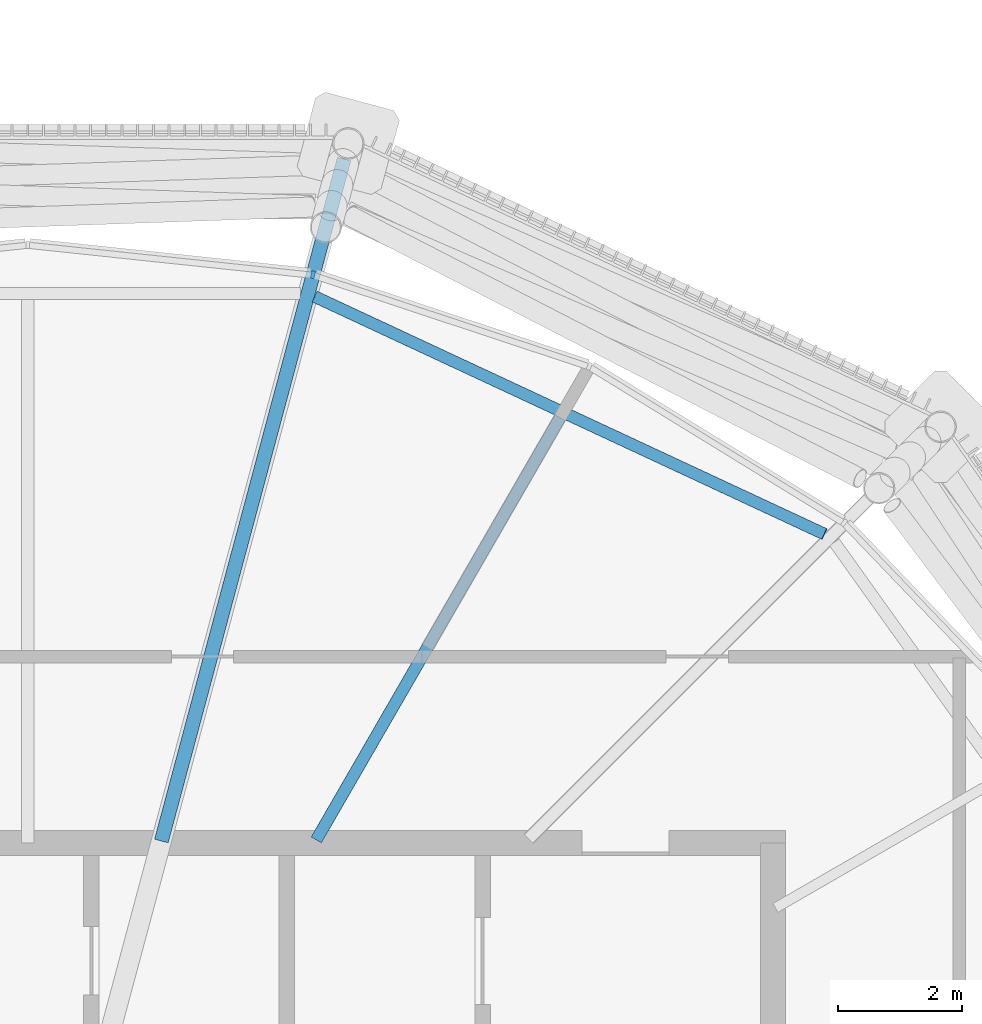
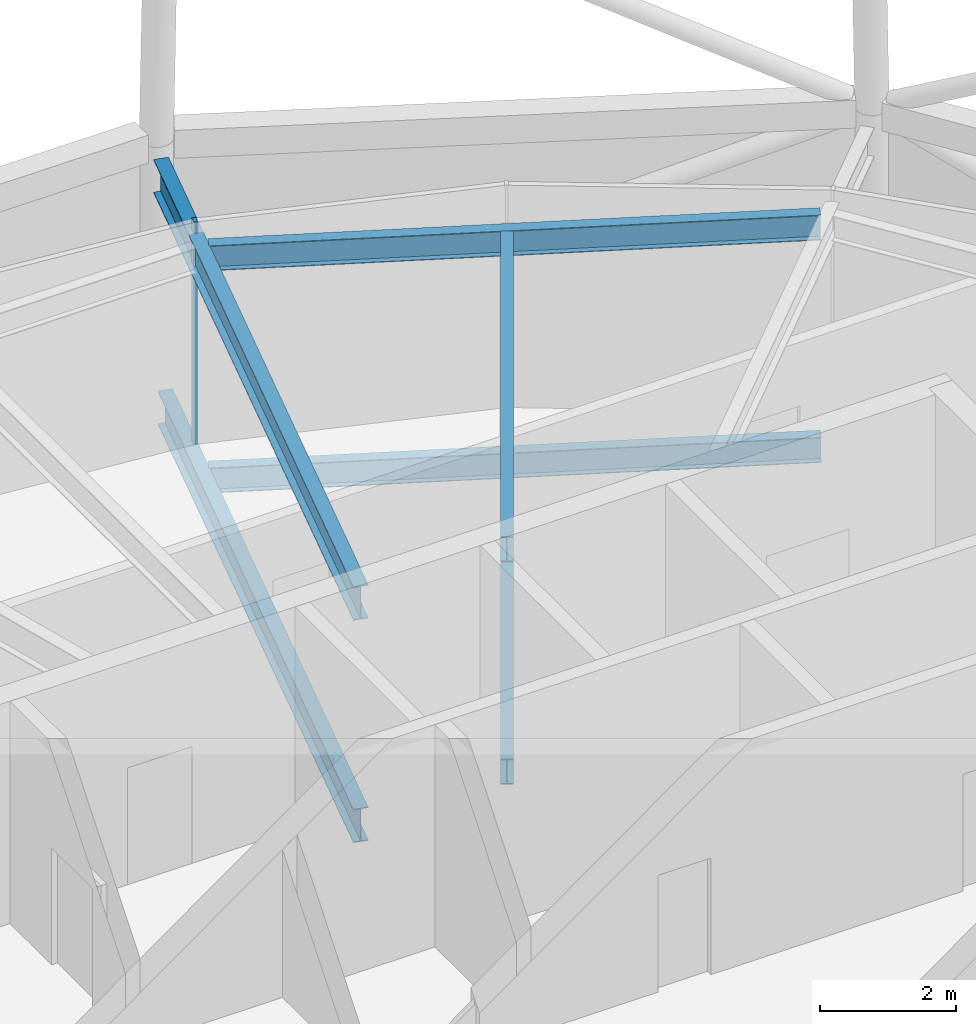
# One storey, part 32 of 71: 6 beams, 1 member, 1 element without a shape of its own.
"""IFC4 building model written with IfcOpenShell, lengths in metres."""

from ifc_helpers import new_model, si_unit, direction, frame, origin, origin_2d, place, context, subcontext, project, spatial, rectangle, i_section, extrude, material, material_profile, profile_set, type_object, element, aggregate, save


model = new_model("IFC4")

# Units and contexts
model_context = context("Model", 3, precision=1e-05, world=origin(), true_north=direction((0.0, 1.0)))
body_context = subcontext(model_context, "Body", "Model", "MODEL_VIEW")
ifc_project = project(units=[si_unit("LENGTHUNIT", "METRE"), si_unit("AREAUNIT", "SQUARE_METRE"), si_unit("VOLUMEUNIT", "CUBIC_METRE"), si_unit("PLANEANGLEUNIT", "RADIAN"), si_unit("MASSUNIT", "GRAM", prefix="KILO")], contexts=[model_context])

# Site, building, storey
site_placement = place(None, origin())
site = spatial("IfcSite", under=ifc_project, at=site_placement, CompositionType="ELEMENT")
building_placement = place(site_placement, origin())
building = spatial("IfcBuilding", under=site, at=building_placement, Name="Rimbun Link Towers", CompositionType="ELEMENT")
storey_placement = place(building_placement, frame((0.0, 0.0, 267.60009765625)))
storey = spatial("IfcBuildingStorey", under=building, at=storey_placement, Name="L65", CompositionType="ELEMENT", Elevation=267.60009765625)

# Curtain wall, member
ifc_material_1 = material(Name="Aluminium 6063-T6 louvre wall", Category="aluminium")
curtain_wall_type = type_object("IfcCurtainWallType", Name="CW6 plant floor louvre wall", PredefinedType="NOTDEFINED", material=ifc_material_1)
curtain_wall_placement = place(storey_placement, origin())
curtain_wall = element("IfcCurtainWall", 1, at=curtain_wall_placement, inside=storey, type_object=curtain_wall_type, Name="CW6 L65 T1", PredefinedType="NOTDEFINED")
ifc_material_2 = material(Name="Aluminium 6063-T6", Category="aluminium")
ifc_material_profile_1 = material_profile(ifc_material_2, rectangle(XDim=0.1201171875, YDim=0.06005859375, at=origin_2d()), Name="MULLION 60X120")
ifc_profile_set_1 = profile_set([ifc_material_profile_1], Name="Aluminium 6063-T6")
member_type = type_object("IfcMemberType", Name="CW6 mullion 60X120", PredefinedType="MULLION", material=ifc_profile_set_1)
member_placement = place(storey_placement, frame((-27.1572265625, 17.151611328125, 0.0), z_axis=(0.0, 0.0, 1.0), x_axis=(0.210863236685, 0.977515572978, 0.0)))
member = element("IfcMember", 2, at=member_placement, type_object=member_type, Name="CW6 mullion", PredefinedType="MULLION", context=body_context, shape_type="SweptSolid", body=[
    extrude(rectangle(XDim=0.1201171875, YDim=0.06005859375, at=origin_2d()), origin(), (0.0, 0.0, 1.0), 4.0),
])
aggregate(curtain_wall, [member])

# Beams
ifc_material_3 = material(Name="Steel S355J2", Category="steel")
ifc_material_profile_2 = material_profile(ifc_material_3, i_section(OverallWidth=0.18994140625, OverallDepth=0.453369140625, WebThickness=0.008544921875, FlangeThickness=0.0126953125, at=origin_2d()), Name="UB 457x191x67")
ifc_profile_set_2 = profile_set([ifc_material_profile_2], Name="Steel S355J2")
beam_type_1 = type_object("IfcBeamType", Name="UB 457x191x67", PredefinedType="BEAM", material=ifc_profile_set_2)
beam_1_placement = place(storey_placement, frame((-27.103271484375, 8.04833984375, -0.4267578125), z_axis=(0.499993288894, 0.866029278408, 0.0), x_axis=(-0.866029278408, 0.499993288894, 0.0)))
element("IfcBeam", 3, at=beam_1_placement, inside=storey, type_object=beam_type_1, Name="Radial beam T1 L65 04", PredefinedType="BEAM", context=body_context, shape_type="SweptSolid", body=[
    extrude(i_section(OverallWidth=0.18994140625, OverallDepth=0.453369140625, WebThickness=0.008544921875, FlangeThickness=0.0126953125, at=origin_2d()), origin(), (0.0, 0.0, 1.0), 7.85498046875),
])
beam_2_placement = place(storey_placement, frame((-18.914306640625, 12.971435546875, -0.4267578125), z_axis=(-0.906438968681, 0.42233682773, 0.0), x_axis=(-0.42233682773, -0.906438968681, 0.0)))
element("IfcBeam", 4, at=beam_2_placement, inside=storey, type_object=beam_type_1, Name="Edge beam T1 L65 03-05", PredefinedType="BEAM", context=body_context, shape_type="SweptSolid", body=[
    extrude(i_section(OverallWidth=0.18994140625, OverallDepth=0.453369140625, WebThickness=0.008544921875, FlangeThickness=0.0126953125, at=origin_2d()), origin(), (0.0, 0.0, 1.0), 9.0634765625),
])
beam_3_placement = place(storey_placement, frame((-27.103271484375, 8.04833984375, 3.5732421875), z_axis=(0.499993288894, 0.866029278408, 0.0), x_axis=(-0.866029278408, 0.499993288894, 0.0)))
element("IfcBeam", 5, at=beam_3_placement, inside=storey, type_object=beam_type_1, Name="Radial beam T1 L65 04", PredefinedType="BEAM", context=body_context, shape_type="SweptSolid", body=[
    extrude(i_section(OverallWidth=0.18994140625, OverallDepth=0.453369140625, WebThickness=0.008544921875, FlangeThickness=0.0126953125, at=origin_2d()), origin(), (0.0, 0.0, 1.0), 7.85498046875),
])
beam_4_placement = place(storey_placement, frame((-18.923583984375, 12.975830078125, 3.5732421875), z_axis=(-0.906442010724, 0.422330298693, 0.0), x_axis=(-0.422330298693, -0.906442010724, 0.0)))
element("IfcBeam", 6, at=beam_4_placement, inside=storey, type_object=beam_type_1, Name="Edge beam T1 L65 03-05", PredefinedType="BEAM", context=body_context, shape_type="SweptSolid", body=[
    extrude(i_section(OverallWidth=0.18994140625, OverallDepth=0.453369140625, WebThickness=0.008544921875, FlangeThickness=0.0126953125, at=origin_2d()), origin(), (0.0, 0.0, 1.0), 9.05322265625),
])
ifc_material_4 = material(Name="Steel S355J2", Category="steel")
ifc_material_profile_3 = material_profile(ifc_material_4, i_section(OverallWidth=0.2275390625, OverallDepth=0.6025390625, WebThickness=0.010498046875, FlangeThickness=0.014892578125, at=origin_2d()), Name="UB 610x229x101")
ifc_profile_set_3 = profile_set([ifc_material_profile_3], Name="Steel S355J2")
beam_type_2 = type_object("IfcBeamType", Name="UB 610x229x101", PredefinedType="BEAM", material=ifc_profile_set_3)
beam_5_placement = place(storey_placement, frame((-29.59814453125, 8.030517578125, -0.50146484375), z_axis=(0.258813187095, 0.965927395918, 0.0), x_axis=(-0.965927395918, 0.258813187095, 0.0)))
element("IfcBeam", 7, at=beam_5_placement, inside=storey, type_object=beam_type_2, Name="Radial beam T1 L65 05", PredefinedType="BEAM", context=body_context, shape_type="SweptSolid", body=[
    extrude(i_section(OverallWidth=0.2275390625, OverallDepth=0.6025390625, WebThickness=0.010498046875, FlangeThickness=0.014892578125, at=origin_2d()), origin(), (0.0, 0.0, 1.0), 11.132080078125),
])
beam_6_placement = place(storey_placement, frame((-29.59814453125, 8.030517578125, 3.49853515625), z_axis=(0.258822289697, 0.965924956897, 0.0), x_axis=(-0.965924956897, 0.258822289697, 0.0)))
element("IfcBeam", 8, at=beam_6_placement, inside=storey, type_object=beam_type_2, Name="Radial beam T1 L65 05", PredefinedType="BEAM", context=body_context, shape_type="SweptSolid", body=[
    extrude(i_section(OverallWidth=0.2275390625, OverallDepth=0.6025390625, WebThickness=0.010498046875, FlangeThickness=0.014892578125, at=origin_2d()), origin(), (0.0, 0.0, 1.0), 11.3720703125),
])

save(model, "model.ifc")
